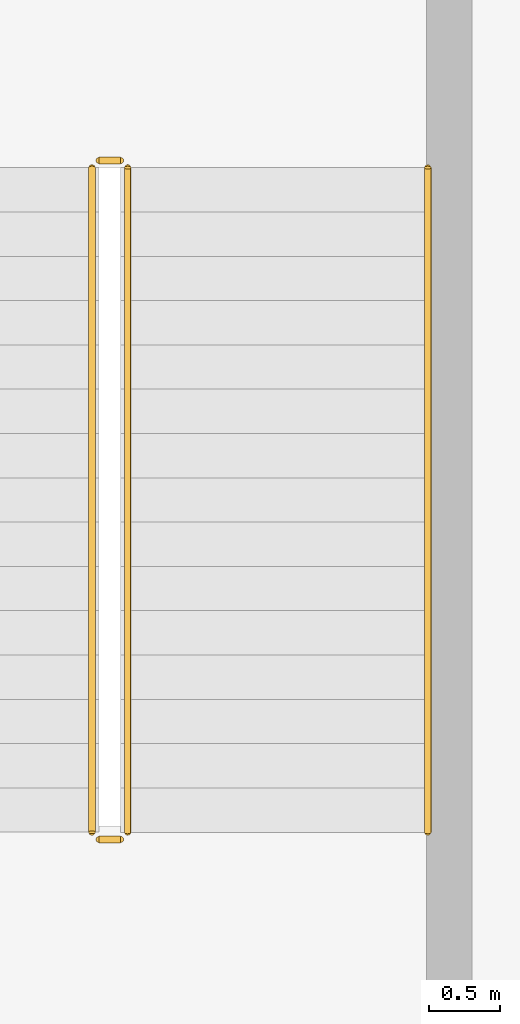
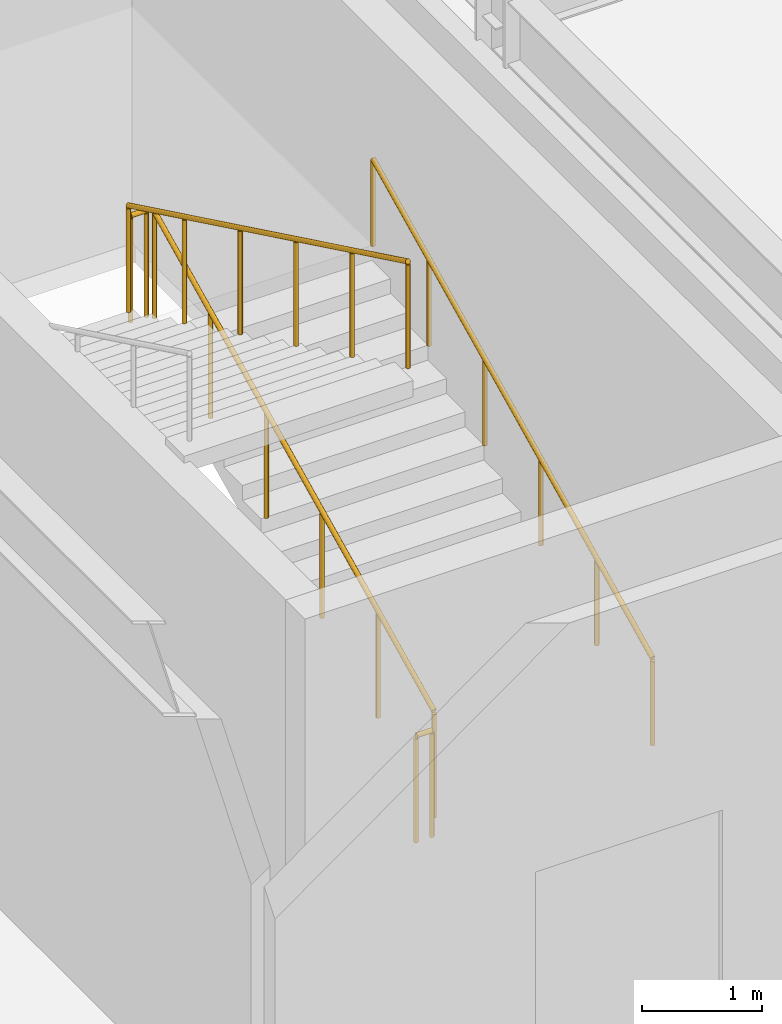
# One storey, part 77 of 83: 5 railings.
"""IFC4 building model written with IfcOpenShell, lengths in metres."""

from ifc_helpers import new_model, si_unit, direction, frame, origin, origin_2d, place, context, subcontext, project, spatial, circle, extrude, material, type_object, element, save


model = new_model("IFC4")

# Units and contexts
model_context = context("Model", 3, precision=1e-05, world=origin(), true_north=direction((0.0, 1.0)))
body_context = subcontext(model_context, "Body", "Model", "MODEL_VIEW")
ifc_project = project(units=[si_unit("LENGTHUNIT", "METRE"), si_unit("AREAUNIT", "SQUARE_METRE"), si_unit("VOLUMEUNIT", "CUBIC_METRE"), si_unit("PLANEANGLEUNIT", "RADIAN"), si_unit("MASSUNIT", "GRAM", prefix="KILO")], contexts=[model_context])

# Site, building, storey
site_placement = place(None, origin())
site = spatial("IfcSite", under=ifc_project, at=site_placement, CompositionType="ELEMENT")
building_placement = place(site_placement, origin())
building = spatial("IfcBuilding", under=site, at=building_placement, Name="Solvadek Multi-Sports Hall", CompositionType="ELEMENT")
storey_placement = place(building_placement, origin())
storey = spatial("IfcBuildingStorey", under=building, at=storey_placement, Name="L00", CompositionType="ELEMENT", Elevation=0.0)

# Railings
ifc_material = material(Name="Steel E250 (250 MPa)", Category="steel")
railing_type_1 = type_object("IfcRailingType", Name="INT-RAL-GRD115", PredefinedType="BALUSTRADE", material=ifc_material)
railing_1_placement = place(storey_placement, frame((61.39990234375, 99.699951171875, 0.14990234375)))
element("IfcRailing", 1, at=railing_1_placement, inside=storey, type_object=railing_type_1, Name="L00 ST-03 stair guard 1", PredefinedType="BALUSTRADE", context=body_context, shape_type="SweptSolid", body=[
    extrude(circle(Radius=0.02392578125, at=origin_2d()), frame((0.0, 0.0, 1.076171875), z_axis=(0.0, 0.900164630878, 0.435549810373), x_axis=(-1.0, 0.0, 0.0)), (0.0, 0.0, 1.0), 5.165771484375),
    extrude(circle(Radius=0.02099609375, at=origin_2d()), origin(), (0.0, 0.0, 1.0), 1.052001953125),
    extrude(circle(Radius=0.02099609375, at=origin_2d()), frame((0.0, 0.929931640625, 0.449951171875)), (0.0, 0.0, 1.0), 1.052001953125),
    extrude(circle(Radius=0.02099609375, at=origin_2d()), frame((0.0, 1.860107421875, 0.89990234375)), (0.0, 0.0, 1.0), 1.052001953125),
    extrude(circle(Radius=0.02099609375, at=origin_2d()), frame((0.0, 2.7900390625, 1.35009765625)), (0.0, 0.0, 1.0), 1.052001953125),
    extrude(circle(Radius=0.02099609375, at=origin_2d()), frame((0.0, 3.72021484375, 1.800048828125)), (0.0, 0.0, 1.0), 1.052001953125),
    extrude(circle(Radius=0.02099609375, at=origin_2d()), frame((0.0, 4.650146484375, 2.25)), (0.0, 0.0, 1.0), 1.052001953125),
])
railing_2_placement = place(storey_placement, frame((61.35009765625, 104.39990234375, 2.39990234375)))
element("IfcRailing", 2, at=railing_2_placement, inside=storey, type_object=railing_type_1, Name="L00 ST-03 stair guard 2", PredefinedType="BALUSTRADE", context=body_context, shape_type="SweptSolid", body=[
    extrude(circle(Radius=0.02392578125, at=origin_2d()), frame((0.0, 0.0, 1.076171875), z_axis=(-1.0, 0.0, 0.0), x_axis=(0.0, -1.0, 0.0)), (0.0, 0.0, 1.0), 0.150146484375),
    extrude(circle(Radius=0.02099609375, at=origin_2d()), origin(), (0.0, 0.0, 1.0), 1.052001953125),
    extrude(circle(Radius=0.02099609375, at=origin_2d()), frame((-0.150146484375, 0.0, 0.0)), (0.0, 0.0, 1.0), 1.052001953125),
])
railing_3_placement = place(storey_placement, frame((61.14990234375, 104.35009765625, 2.550048828125)))
element("IfcRailing", 3, at=railing_3_placement, inside=storey, type_object=railing_type_1, Name="L00 ST-03 stair guard 3", PredefinedType="BALUSTRADE", context=body_context, shape_type="SweptSolid", body=[
    extrude(circle(Radius=0.02392578125, at=origin_2d()), frame((0.0, 0.0, 1.076171875), z_axis=(0.0, -0.900164630878, 0.435549810373), x_axis=(1.0, 0.0, 0.0)), (0.0, 0.0, 1.0), 5.165771484375),
    extrude(circle(Radius=0.02099609375, at=origin_2d()), origin(), (0.0, 0.0, 1.0), 1.052001953125),
    extrude(circle(Radius=0.02099609375, at=origin_2d()), frame((0.0, -0.929931640625, 0.449951171875)), (0.0, 0.0, 1.0), 1.052001953125),
    extrude(circle(Radius=0.02099609375, at=origin_2d()), frame((0.0, -1.860107421875, 0.89990234375)), (0.0, 0.0, 1.0), 1.052001953125),
    extrude(circle(Radius=0.02099609375, at=origin_2d()), frame((0.0, -2.7900390625, 1.35009765625)), (0.0, 0.0, 1.0), 1.052001953125),
    extrude(circle(Radius=0.02099609375, at=origin_2d()), frame((0.0, -3.72021484375, 1.800048828125)), (0.0, 0.0, 1.0), 1.052001953125),
    extrude(circle(Radius=0.02099609375, at=origin_2d()), frame((0.0, -4.650146484375, 2.25)), (0.0, 0.0, 1.0), 1.052001953125),
])
railing_4_placement = place(storey_placement, frame((61.35009765625, 99.64990234375, 0.0)))
element("IfcRailing", 4, at=railing_4_placement, inside=storey, type_object=railing_type_1, Name="L00 ST-03 stair guard 4", PredefinedType="BALUSTRADE", context=body_context, shape_type="SweptSolid", body=[
    extrude(circle(Radius=0.02392578125, at=origin_2d()), frame((0.0, 0.0, 1.076171875), z_axis=(-1.0, 0.0, 0.0), x_axis=(0.0, -1.0, 0.0)), (0.0, 0.0, 1.0), 0.150146484375),
    extrude(circle(Radius=0.02099609375, at=origin_2d()), origin(), (0.0, 0.0, 1.0), 1.052001953125),
    extrude(circle(Radius=0.02099609375, at=origin_2d()), frame((-0.150146484375, 0.0, 0.0)), (0.0, 0.0, 1.0), 1.052001953125),
])
railing_type_2 = type_object("IfcRailingType", Name="INT-RAL-HND090", PredefinedType="HANDRAIL", material=ifc_material)
railing_5_placement = place(storey_placement, frame((63.5, 99.699951171875, 0.14990234375)))
element("IfcRailing", 5, at=railing_5_placement, inside=storey, type_object=railing_type_2, Name="L00 ST-03 stair handrail 1", PredefinedType="HANDRAIL", context=body_context, shape_type="SweptSolid", body=[
    extrude(circle(Radius=0.02392578125, at=origin_2d()), frame((0.0, 0.0, 0.8759765625), z_axis=(0.0, 0.900164630878, 0.435549810373), x_axis=(-1.0, 0.0, 0.0)), (0.0, 0.0, 1.0), 5.165771484375),
    extrude(circle(Radius=0.02099609375, at=origin_2d()), origin(), (0.0, 0.0, 1.0), 0.851806640625),
    extrude(circle(Radius=0.02099609375, at=origin_2d()), frame((0.0, 0.929931640625, 0.449951171875)), (0.0, 0.0, 1.0), 0.851806640625),
    extrude(circle(Radius=0.02099609375, at=origin_2d()), frame((0.0, 1.860107421875, 0.89990234375)), (0.0, 0.0, 1.0), 0.851806640625),
    extrude(circle(Radius=0.02099609375, at=origin_2d()), frame((0.0, 2.7900390625, 1.35009765625)), (0.0, 0.0, 1.0), 0.851806640625),
    extrude(circle(Radius=0.02099609375, at=origin_2d()), frame((0.0, 3.72021484375, 1.800048828125)), (0.0, 0.0, 1.0), 0.851806640625),
    extrude(circle(Radius=0.02099609375, at=origin_2d()), frame((0.0, 4.650146484375, 2.25)), (0.0, 0.0, 1.0), 0.851806640625),
])

save(model, "model.ifc")
